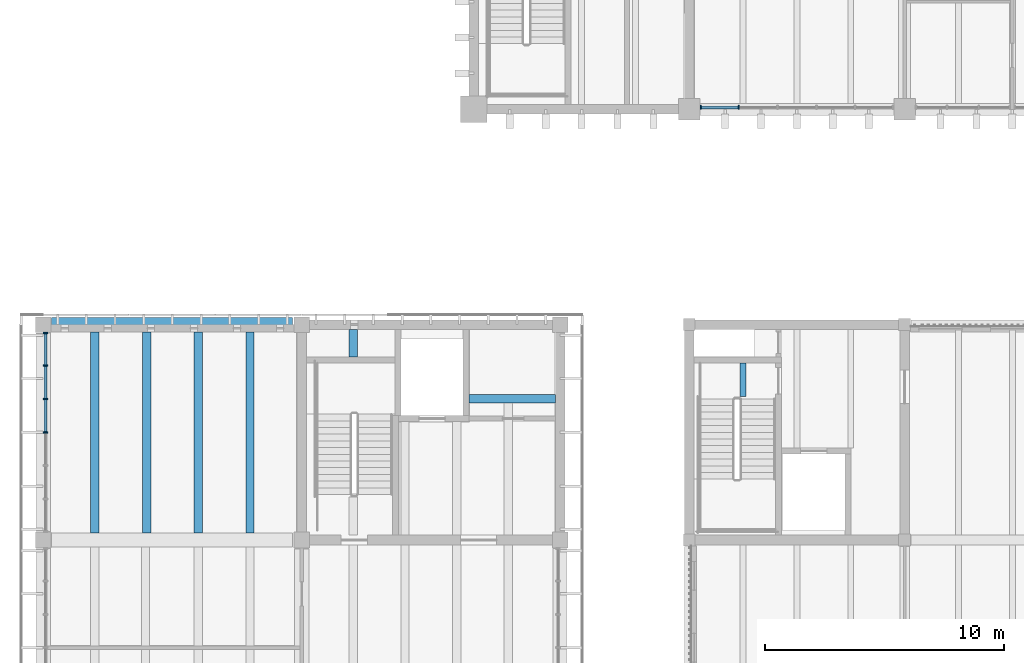
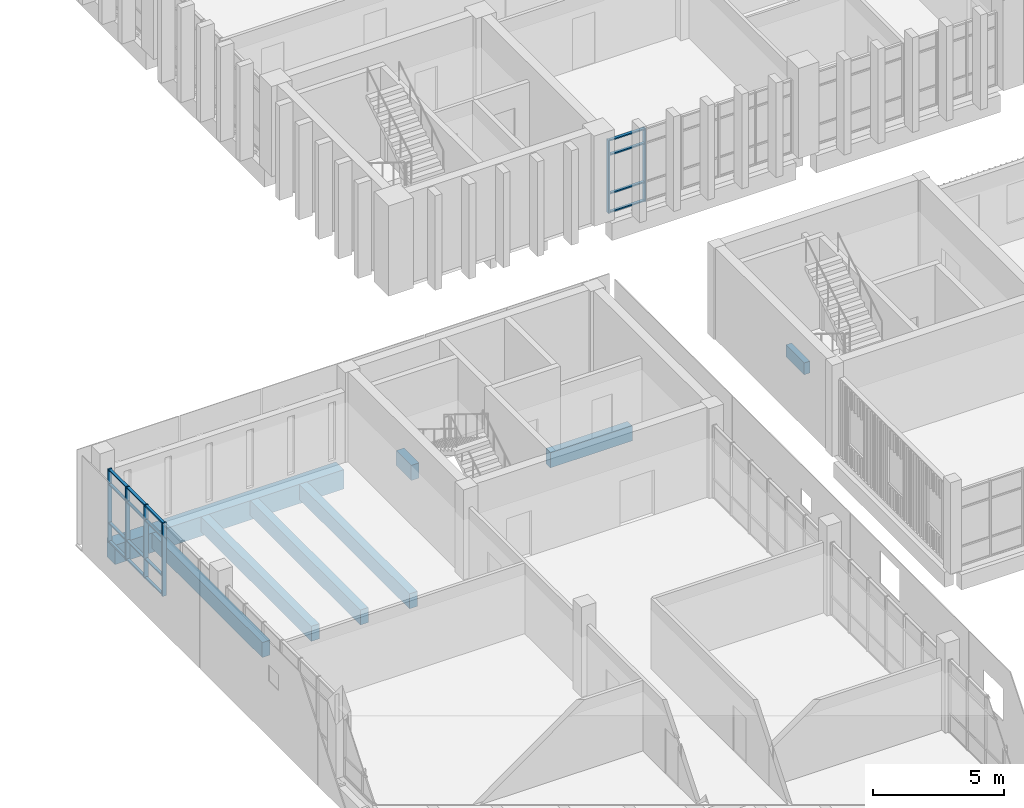
# One storey, part 27 of 92: 22 members, 8 beams, 2 elements without a shape of their own.
"""IFC4 building model written with IfcOpenShell, lengths in metres."""

import ifcopenshell
import ifcopenshell.guid

model = None  # the IFC model being written
_history = None  # IfcOwnerHistory: only IFC2X3 demands one
_inside = {}  # id of a spatial element -> (the spatial element, [elements in it])
_under = {}  # id of a project, library or spatial element -> (it, [spatial elements below it])
_declared = {}  # id of a project -> (the project, [libraries it declares])
_typed = {}  # id of a type object -> (the type object, [elements of that type])
_made_of = {}  # id of a material, layer set ... -> (it, [elements and type objects made of it])


def new_model(schema):
    """Start an empty IFC model of exactly this schema.

    Asked for "IFC4X3", IfcOpenShell would pick the latest addendum, in which some entities
    have other attributes; the version numbers below select the first issue.
    IFC2X3 requires an IfcOwnerHistory on every rooted entity: one is made here for all.
    """
    global model, _history
    if schema == "IFC4X3":
        model = ifcopenshell.file(schema_version=(4, 3, 0, 0))
    else:
        model = ifcopenshell.file(schema=schema)
    _inside.clear()
    _under.clear()
    _declared.clear()
    _typed.clear()
    _made_of.clear()
    _history = None
    if model.schema == "IFC2X3":
        org = make("IfcOrganization", Name="unknown")
        user = make(
            "IfcPersonAndOrganization",
            ThePerson=make("IfcPerson", FamilyName="unknown"),
            TheOrganization=org,
        )
        app = make(
            "IfcApplication",
            ApplicationDeveloper=org,
            Version="unknown",
            ApplicationFullName="unknown",
            ApplicationIdentifier="unknown",
        )
        _history = make(
            "IfcOwnerHistory",
            OwningUser=user,
            OwningApplication=app,
            ChangeAction="ADDED",
            CreationDate=0,
        )
    return model


def make(cls, **values):
    """One entity of the class cls with the attributes given. An attribute that is None is left unset."""
    return model.create_entity(
        cls, **{name: value for name, value in values.items() if value is not None}
    )


def rooted(cls, **values):
    """An entity with a GlobalId (a new one), such as an element, a storey or a relation."""
    return make(cls, GlobalId=ifcopenshell.guid.new(), OwnerHistory=_history, **values)


def si_unit(unit_type, name, prefix=None):
    """IfcSIUnit, for example si_unit("LENGTHUNIT", "METRE", prefix="MILLI")."""
    return make("IfcSIUnit", UnitType=unit_type, Prefix=prefix, Name=name)


def assignment(units):
    """IfcUnitAssignment: the units of a project."""
    return None if units is None else make("IfcUnitAssignment", Units=units)


def point(xyz):
    """IfcCartesianPoint."""
    return None if xyz is None else make("IfcCartesianPoint", Coordinates=xyz)


def direction(xyz):
    """IfcDirection."""
    return None if xyz is None else make("IfcDirection", DirectionRatios=xyz)


def frame(location, z_axis=None, x_axis=None):
    """IfcAxis2Placement3D, a coordinate frame: its origin and axes. An axis left out is left unset."""
    return make(
        "IfcAxis2Placement3D",
        Location=point(location),
        Axis=direction(z_axis),
        RefDirection=direction(x_axis),
    )


def frame_2d(location, x_axis=None):
    """IfcAxis2Placement2D, a coordinate frame in the plane: its origin and x axis."""
    return make(
        "IfcAxis2Placement2D", Location=point(location), RefDirection=direction(x_axis)
    )


def origin():
    """The frame at (0, 0, 0) with its axes left unset."""
    return frame((0.0, 0.0, 0.0))


def origin_2d():
    """The frame at (0, 0) in the plane with its x axis left unset."""
    return frame_2d((0.0, 0.0))


def place(relative_to, where):
    """IfcLocalPlacement: puts the frame where relative to a parent placement (None: the world)."""
    return make(
        "IfcLocalPlacement", PlacementRelTo=relative_to, RelativePlacement=where
    )


def context(
    kind, dimensions, precision=None, world=None, true_north=None, identifier=None
):
    """IfcGeometricRepresentationContext, for example the 3D "Model" context."""
    return make(
        "IfcGeometricRepresentationContext",
        ContextIdentifier=identifier,
        ContextType=kind,
        CoordinateSpaceDimension=dimensions,
        Precision=precision,
        WorldCoordinateSystem=world,
        TrueNorth=true_north,
    )


def subcontext(parent, identifier, kind, view, scale=None):
    """IfcGeometricRepresentationSubContext, for example "Body" below "Model"."""
    return make(
        "IfcGeometricRepresentationSubContext",
        ContextIdentifier=identifier,
        ContextType=kind,
        ParentContext=parent,
        TargetScale=scale,
        TargetView=view,
    )


def project(units=None, contexts=None):
    """IfcProject with its units and contexts."""
    return rooted(
        "IfcProject",
        Name="project",
        RepresentationContexts=contexts,
        UnitsInContext=assignment(units),
    )


def spatial(cls, under=None, at=None, **own):
    """A site, building, storey or space (cls), placed at a placement, below another one or the project."""
    s = rooted(cls, ObjectPlacement=at, **own)
    if under is not None:
        _under.setdefault(under.id(), (under, []))[1].append(s)
    return s


def profile(cls, at=None, kind="AREA", **sizes):
    """A parametric profile (cls). Its sizes go by their IFC names, for example OverallWidth=200.0."""
    return make(cls, ProfileType=kind, Position=at, **sizes)


def rectangle(**sizes):
    """IfcRectangleProfileDef."""
    return profile("IfcRectangleProfileDef", **sizes)


def extrude(swept, where, along, depth):
    """IfcExtrudedAreaSolid: the profile swept, set in the frame where, extruded along a direction by depth."""
    return make(
        "IfcExtrudedAreaSolid",
        SweptArea=swept,
        Position=where,
        ExtrudedDirection=direction(along),
        Depth=depth,
    )


def shape(context_of_items, identifier, shape_type, items):
    """IfcShapeRepresentation: the items that make up one representation, for example the "Body"."""
    return make(
        "IfcShapeRepresentation",
        ContextOfItems=context_of_items,
        RepresentationIdentifier=identifier,
        RepresentationType=shape_type,
        Items=items,
    )


def material(Name=None, Category=None):
    """IfcMaterial."""
    return make("IfcMaterial", Name=Name, Category=Category)


def material_profile(
    of_material, cross_section, Name=None, Category=None, Priority=None
):
    """IfcMaterialProfile: a cross section and its material."""
    return make(
        "IfcMaterialProfile",
        Name=Name,
        Material=of_material,
        Profile=cross_section,
        Priority=Priority,
        Category=Category,
    )


def profile_set(profiles, Name=None, composite=None):
    """IfcMaterialProfileSet."""
    return make(
        "IfcMaterialProfileSet",
        Name=Name,
        MaterialProfiles=profiles,
        CompositeProfile=composite,
    )


def made_of(thing, what):
    """Note that an element or type object is made of a material, layer set ...; save() writes the relation."""
    if what is not None:
        _made_of.setdefault(what.id(), (what, []))[1].append(thing)
    return thing


def type_object(cls, material=None, **own):
    """A type object (cls), such as IfcWallType, which elements share."""
    return made_of(rooted(cls, **own), material)


def element(
    cls,
    number,
    at=None,
    inside=None,
    cuts=None,
    type_object=None,
    material=None,
    context=None,
    identifier="Body",
    shape_type=None,
    held_by="IfcProductDefinitionShape",
    body=None,
    shapes=None,
    **own,
):
    """One element of the class cls, such as IfcWall. Its Tag is "e" and its number.

    at: its placement. inside: the storey or other place that contains it. cuts: it is an
    opening in that element (IfcRelVoidsElement). A single representation is given by context,
    identifier, shape_type and body (its items); several are given by shapes. held_by: the class
    of the entity that holds the representations. save() writes the other relations.
    """
    e = rooted(cls, Tag="e%d" % number, ObjectPlacement=at, **own)
    if body is not None:
        shapes = [shape(context, identifier, shape_type, body)]
    if shapes is not None:
        e.Representation = make(held_by, Representations=shapes)
    if inside is not None:
        _inside.setdefault(inside.id(), (inside, []))[1].append(e)
    if cuts is not None:
        rooted(
            "IfcRelVoidsElement", RelatingBuildingElement=cuts, RelatedOpeningElement=e
        )
    if type_object is not None:
        _typed.setdefault(type_object.id(), (type_object, []))[1].append(e)
    return made_of(e, material)


def aggregate(whole, parts):
    """IfcRelAggregates: a whole, such as a stair, and the parts it consists of."""
    return rooted("IfcRelAggregates", RelatingObject=whole, RelatedObjects=parts)


def save(model, path):
    """Write the relations noted so far, then the file.

    IfcRelAggregates (storeys below a building ...), IfcRelContainedInSpatialStructure (elements
    in a storey), IfcRelDefinesByType, IfcRelAssociatesMaterial and IfcRelDeclares: one each for
    every whole, place, type object, material and project.
    """
    for whole, parts in _under.values():
        aggregate(whole, parts)
    for where, things in _inside.values():
        rooted(
            "IfcRelContainedInSpatialStructure",
            RelatedElements=things,
            RelatingStructure=where,
        )
    for kind, things in _typed.values():
        rooted("IfcRelDefinesByType", RelatedObjects=things, RelatingType=kind)
    for what, things in _made_of.values():
        rooted("IfcRelAssociatesMaterial", RelatedObjects=things, RelatingMaterial=what)
    for by, libraries in _declared.values():
        rooted("IfcRelDeclares", RelatingContext=by, RelatedDefinitions=libraries)
    model.write(path)


model = new_model("IFC4")

# Units and contexts
model_context = context("Model", 3, precision=1e-05, world=origin(), true_north=direction((0.0, 1.0)))
body_context = subcontext(model_context, "Body", "Model", "MODEL_VIEW")
ifc_project = project(units=[si_unit("LENGTHUNIT", "METRE"), si_unit("AREAUNIT", "SQUARE_METRE"), si_unit("VOLUMEUNIT", "CUBIC_METRE"), si_unit("PLANEANGLEUNIT", "RADIAN"), si_unit("MASSUNIT", "GRAM", prefix="KILO")], contexts=[model_context])

# Site, building, storey
site_placement = place(None, origin())
site = spatial("IfcSite", under=ifc_project, at=site_placement, CompositionType="ELEMENT")
building_placement = place(site_placement, origin())
building = spatial("IfcBuilding", under=site, at=building_placement, Name="Merrow Basin Faculty of Sciences", CompositionType="ELEMENT")
storey_placement = place(building_placement, frame((0.0, 0.0, 4.5)))
storey = spatial("IfcBuildingStorey", under=building, at=storey_placement, Name="L01", CompositionType="ELEMENT", Elevation=4.5)

# Curtain wall, members
ifc_material_1 = material(Name="Aluminium alloy 6063", Category="aluminium")
curtain_wall_type_1 = type_object("IfcCurtainWallType", Name="Unitised curtain wall 160", PredefinedType="NOTDEFINED", material=ifc_material_1)
curtain_wall_1_placement = place(storey_placement, origin())
curtain_wall_1 = element("IfcCurtainWall", 1, at=curtain_wall_1_placement, inside=storey, type_object=curtain_wall_type_1, Name="S curtain wall L01 1", PredefinedType="NOTDEFINED")
ifc_material_2 = material(Name="Aluminium alloy 6063", Category="aluminium")
ifc_material_profile_1 = material_profile(ifc_material_2, rectangle(XDim=0.159912109375, YDim=0.06005859375, at=origin_2d()))
ifc_profile_set_1 = profile_set([ifc_material_profile_1], Name="Aluminium alloy 6063")
member_type_1 = type_object("IfcMemberType", Name="Aluminium mullion 60x160", PredefinedType="MULLION", material=ifc_profile_set_1)
member_1_placement = place(storey_placement, frame((27.47998046875, 142.080078125, 0.0), z_axis=(0.0, 0.0, 1.0), x_axis=(0.0, 1.0, 0.0)))
member_1 = element("IfcMember", 2, at=member_1_placement, type_object=member_type_1, Name="CW3 mullion 1", PredefinedType="MULLION", context=body_context, shape_type="SweptSolid", body=[
    extrude(rectangle(XDim=0.159912109375, YDim=0.06005859375, at=origin_2d()), origin(), (0.0, 0.0, 1.0), 3.39990234375),
])
member_2_placement = place(storey_placement, frame((29.070068359375, 142.080078125, 0.0), z_axis=(0.0, 0.0, 1.0), x_axis=(0.0, 1.0, 0.0)))
member_2 = element("IfcMember", 3, at=member_2_placement, type_object=member_type_1, Name="CW3 mullion 2", PredefinedType="MULLION", context=body_context, shape_type="SweptSolid", body=[
    extrude(rectangle(XDim=0.159912109375, YDim=0.06005859375, at=origin_2d()), origin(), (0.0, 0.0, 1.0), 3.39990234375),
])

ifc_material_3 = material(Name="Aluminium alloy 6063", Category="aluminium")
curtain_wall_type_2 = type_object("IfcCurtainWallType", Name="Bar unitised curtain wall 180", PredefinedType="NOTDEFINED", material=ifc_material_3)
curtain_wall_2_placement = place(storey_placement, origin())
curtain_wall_2 = element("IfcCurtainWall", 4, at=curtain_wall_2_placement, inside=storey, type_object=curtain_wall_type_2, Name="West curtain wall L01 7", PredefinedType="NOTDEFINED")
ifc_material_4 = material(Name="Aluminium alloy 6063", Category="aluminium")
ifc_material_profile_2 = material_profile(ifc_material_4, rectangle(XDim=0.179931640625, YDim=0.06005859375, at=origin_2d()))
ifc_profile_set_2 = profile_set([ifc_material_profile_2], Name="Aluminium alloy 6063")
member_type_2 = type_object("IfcMemberType", Name="Aluminium mullion 60x180", PredefinedType="MULLION", material=ifc_profile_set_2)
member_3_placement = place(storey_placement, frame((0.090087890625, 128.5, 0.0), z_axis=(0.0, 0.0, 1.0), x_axis=(-1.0, 0.0, 0.0)))
member_3 = element("IfcMember", 5, at=member_3_placement, type_object=member_type_2, Name="CW1 mullion 4", PredefinedType="MULLION", context=body_context, shape_type="SweptSolid", body=[
    extrude(rectangle(XDim=0.179931640625, YDim=0.06005859375, at=origin_2d()), origin(), (0.0, 0.0, 1.0), 3.39990234375),
])
member_4_placement = place(storey_placement, frame((0.090087890625, 129.8916015625, 0.0), z_axis=(0.0, 0.0, 1.0), x_axis=(-1.0, 0.0, 0.0)))
member_4 = element("IfcMember", 6, at=member_4_placement, type_object=member_type_2, Name="CW1 mullion 5", PredefinedType="MULLION", context=body_context, shape_type="SweptSolid", body=[
    extrude(rectangle(XDim=0.179931640625, YDim=0.06005859375, at=origin_2d()), origin(), (0.0, 0.0, 1.0), 3.39990234375),
])
member_5_placement = place(storey_placement, frame((0.090087890625, 131.283447265625, 0.0), z_axis=(0.0, 0.0, 1.0), x_axis=(-1.0, 0.0, 0.0)))
member_5 = element("IfcMember", 7, at=member_5_placement, type_object=member_type_2, Name="CW1 mullion 6", PredefinedType="MULLION", context=body_context, shape_type="SweptSolid", body=[
    extrude(rectangle(XDim=0.179931640625, YDim=0.06005859375, at=origin_2d()), origin(), (0.0, 0.0, 1.0), 3.39990234375),
])
member_6_placement = place(storey_placement, frame((0.090087890625, 132.64501953125, 0.0), z_axis=(0.0, 0.0, 1.0), x_axis=(-1.0, 0.0, 0.0)))
member_6 = element("IfcMember", 8, at=member_6_placement, type_object=member_type_2, Name="CW1 mullion 7", PredefinedType="MULLION", context=body_context, shape_type="SweptSolid", body=[
    extrude(rectangle(XDim=0.179931640625, YDim=0.06005859375, at=origin_2d()), origin(), (0.0, 0.0, 1.0), 3.39990234375),
])
ifc_material_5 = material(Name="Aluminium alloy 6063", Category="aluminium")
ifc_material_profile_3 = material_profile(ifc_material_5, rectangle(XDim=0.1201171875, YDim=0.06005859375, at=origin_2d()))
ifc_profile_set_3 = profile_set([ifc_material_profile_3], Name="Aluminium alloy 6063")
member_type_3 = type_object("IfcMemberType", Name="Aluminium transom 60x120", PredefinedType="USERDEFINED", material=ifc_profile_set_3)
member_7_placement = place(storey_placement, frame((0.090087890625, 128.530029296875, 0.030029296875), z_axis=(0.0, 1.0, 0.0), x_axis=(-1.0, 0.0, 0.0)))
member_7 = element("IfcMember", 9, at=member_7_placement, type_object=member_type_3, Name="CW1 transom 4.1", ObjectType="TRANSOM", PredefinedType="USERDEFINED", context=body_context, shape_type="SweptSolid", body=[
    extrude(rectangle(XDim=0.1201171875, YDim=0.06005859375, at=origin_2d()), origin(), (0.0, 0.0, 1.0), 1.33154296875),
])
member_8_placement = place(storey_placement, frame((0.090087890625, 128.530029296875, 0.89990234375), z_axis=(0.0, 1.0, 0.0), x_axis=(-1.0, 0.0, 0.0)))
member_8 = element("IfcMember", 10, at=member_8_placement, type_object=member_type_3, Name="CW1 transom 4.2", ObjectType="TRANSOM", PredefinedType="USERDEFINED", context=body_context, shape_type="SweptSolid", body=[
    extrude(rectangle(XDim=0.1201171875, YDim=0.06005859375, at=origin_2d()), origin(), (0.0, 0.0, 1.0), 1.33154296875),
])
member_9_placement = place(storey_placement, frame((0.090087890625, 128.530029296875, 2.699951171875), z_axis=(0.0, 1.0, 0.0), x_axis=(-1.0, 0.0, 0.0)))
member_9 = element("IfcMember", 11, at=member_9_placement, type_object=member_type_3, Name="CW1 transom 4.3", ObjectType="TRANSOM", PredefinedType="USERDEFINED", context=body_context, shape_type="SweptSolid", body=[
    extrude(rectangle(XDim=0.1201171875, YDim=0.06005859375, at=origin_2d()), origin(), (0.0, 0.0, 1.0), 1.33154296875),
])
member_10_placement = place(storey_placement, frame((0.090087890625, 128.530029296875, 3.3701171875), z_axis=(0.0, 1.0, 0.0), x_axis=(-1.0, 0.0, 0.0)))
member_10 = element("IfcMember", 12, at=member_10_placement, type_object=member_type_3, Name="CW1 transom 4.4", ObjectType="TRANSOM", PredefinedType="USERDEFINED", context=body_context, shape_type="SweptSolid", body=[
    extrude(rectangle(XDim=0.1201171875, YDim=0.06005859375, at=origin_2d()), origin(), (0.0, 0.0, 1.0), 1.33154296875),
])
member_11_placement = place(storey_placement, frame((0.090087890625, 129.921630859375, 0.030029296875), z_axis=(0.0, 1.0, 0.0), x_axis=(-1.0, 0.0, 0.0)))
member_11 = element("IfcMember", 13, at=member_11_placement, type_object=member_type_3, Name="CW1 transom 5.1", ObjectType="TRANSOM", PredefinedType="USERDEFINED", context=body_context, shape_type="SweptSolid", body=[
    extrude(rectangle(XDim=0.1201171875, YDim=0.06005859375, at=origin_2d()), origin(), (0.0, 0.0, 1.0), 1.331787109375),
])
member_12_placement = place(storey_placement, frame((0.090087890625, 129.921630859375, 0.89990234375), z_axis=(0.0, 1.0, 0.0), x_axis=(-1.0, 0.0, 0.0)))
member_12 = element("IfcMember", 14, at=member_12_placement, type_object=member_type_3, Name="CW1 transom 5.2", ObjectType="TRANSOM", PredefinedType="USERDEFINED", context=body_context, shape_type="SweptSolid", body=[
    extrude(rectangle(XDim=0.1201171875, YDim=0.06005859375, at=origin_2d()), origin(), (0.0, 0.0, 1.0), 1.331787109375),
])
member_13_placement = place(storey_placement, frame((0.090087890625, 129.921630859375, 2.699951171875), z_axis=(0.0, 1.0, 0.0), x_axis=(-1.0, 0.0, 0.0)))
member_13 = element("IfcMember", 15, at=member_13_placement, type_object=member_type_3, Name="CW1 transom 5.3", ObjectType="TRANSOM", PredefinedType="USERDEFINED", context=body_context, shape_type="SweptSolid", body=[
    extrude(rectangle(XDim=0.1201171875, YDim=0.06005859375, at=origin_2d()), origin(), (0.0, 0.0, 1.0), 1.331787109375),
])
member_14_placement = place(storey_placement, frame((0.090087890625, 129.921630859375, 3.3701171875), z_axis=(0.0, 1.0, 0.0), x_axis=(-1.0, 0.0, 0.0)))
member_14 = element("IfcMember", 16, at=member_14_placement, type_object=member_type_3, Name="CW1 transom 5.4", ObjectType="TRANSOM", PredefinedType="USERDEFINED", context=body_context, shape_type="SweptSolid", body=[
    extrude(rectangle(XDim=0.1201171875, YDim=0.06005859375, at=origin_2d()), origin(), (0.0, 0.0, 1.0), 1.331787109375),
])
member_15_placement = place(storey_placement, frame((0.090087890625, 131.313232421875, 0.030029296875), z_axis=(0.0, 1.0, 0.0), x_axis=(-1.0, 0.0, 0.0)))
member_15 = element("IfcMember", 17, at=member_15_placement, type_object=member_type_3, Name="CW1 transom 6.1", ObjectType="TRANSOM", PredefinedType="USERDEFINED", context=body_context, shape_type="SweptSolid", body=[
    extrude(rectangle(XDim=0.1201171875, YDim=0.06005859375, at=origin_2d()), origin(), (0.0, 0.0, 1.0), 1.3017578125),
])
member_16_placement = place(storey_placement, frame((0.090087890625, 131.313232421875, 0.89990234375), z_axis=(0.0, 1.0, 0.0), x_axis=(-1.0, 0.0, 0.0)))
member_16 = element("IfcMember", 18, at=member_16_placement, type_object=member_type_3, Name="CW1 transom 6.2", ObjectType="TRANSOM", PredefinedType="USERDEFINED", context=body_context, shape_type="SweptSolid", body=[
    extrude(rectangle(XDim=0.1201171875, YDim=0.06005859375, at=origin_2d()), origin(), (0.0, 0.0, 1.0), 1.3017578125),
])
member_17_placement = place(storey_placement, frame((0.090087890625, 131.313232421875, 2.699951171875), z_axis=(0.0, 1.0, 0.0), x_axis=(-1.0, 0.0, 0.0)))
member_17 = element("IfcMember", 19, at=member_17_placement, type_object=member_type_3, Name="CW1 transom 6.3", ObjectType="TRANSOM", PredefinedType="USERDEFINED", context=body_context, shape_type="SweptSolid", body=[
    extrude(rectangle(XDim=0.1201171875, YDim=0.06005859375, at=origin_2d()), origin(), (0.0, 0.0, 1.0), 1.3017578125),
])
member_18_placement = place(storey_placement, frame((0.090087890625, 131.313232421875, 3.3701171875), z_axis=(0.0, 1.0, 0.0), x_axis=(-1.0, 0.0, 0.0)))
member_18 = element("IfcMember", 20, at=member_18_placement, type_object=member_type_3, Name="CW1 transom 6.4", ObjectType="TRANSOM", PredefinedType="USERDEFINED", context=body_context, shape_type="SweptSolid", body=[
    extrude(rectangle(XDim=0.1201171875, YDim=0.06005859375, at=origin_2d()), origin(), (0.0, 0.0, 1.0), 1.3017578125),
])
aggregate(curtain_wall_2, [member_3, member_4, member_5, member_6, member_7, member_8, member_9, member_10, member_11, member_12, member_13, member_14, member_15, member_16, member_17, member_18])

# Member
member_19_placement = place(storey_placement, frame((27.510009765625, 142.080078125, 0.030029296875), z_axis=(1.0, 0.0, 0.0), x_axis=(0.0, 1.0, 0.0)))
member_19 = element("IfcMember", 21, at=member_19_placement, type_object=member_type_3, Name="CW3 transom 1.1", ObjectType="TRANSOM", PredefinedType="USERDEFINED", context=body_context, shape_type="SweptSolid", body=[
    extrude(rectangle(XDim=0.1201171875, YDim=0.06005859375, at=origin_2d()), origin(), (0.0, 0.0, 1.0), 1.530029296875),
])

member_20_placement = place(storey_placement, frame((27.510009765625, 142.080078125, 0.89990234375), z_axis=(1.0, 0.0, 0.0), x_axis=(0.0, 1.0, 0.0)))
member_20 = element("IfcMember", 22, at=member_20_placement, type_object=member_type_3, Name="CW3 transom 1.2", ObjectType="TRANSOM", PredefinedType="USERDEFINED", context=body_context, shape_type="SweptSolid", body=[
    extrude(rectangle(XDim=0.1201171875, YDim=0.06005859375, at=origin_2d()), origin(), (0.0, 0.0, 1.0), 1.530029296875),
])

member_21_placement = place(storey_placement, frame((27.510009765625, 142.080078125, 2.699951171875), z_axis=(1.0, 0.0, 0.0), x_axis=(0.0, 1.0, 0.0)))
member_21 = element("IfcMember", 23, at=member_21_placement, type_object=member_type_3, Name="CW3 transom 1.3", ObjectType="TRANSOM", PredefinedType="USERDEFINED", context=body_context, shape_type="SweptSolid", body=[
    extrude(rectangle(XDim=0.1201171875, YDim=0.06005859375, at=origin_2d()), origin(), (0.0, 0.0, 1.0), 1.530029296875),
])

member_22_placement = place(storey_placement, frame((27.510009765625, 142.080078125, 3.3701171875), z_axis=(1.0, 0.0, 0.0), x_axis=(0.0, 1.0, 0.0)))
member_22 = element("IfcMember", 24, at=member_22_placement, type_object=member_type_3, Name="CW3 transom 1.4", ObjectType="TRANSOM", PredefinedType="USERDEFINED", context=body_context, shape_type="SweptSolid", body=[
    extrude(rectangle(XDim=0.1201171875, YDim=0.06005859375, at=origin_2d()), origin(), (0.0, 0.0, 1.0), 1.530029296875),
])

aggregate(curtain_wall_1, [member_1, member_2, member_19, member_20, member_21, member_22])

# Beams
ifc_material_6 = material(Name="Concrete C40/50", Category="concrete")
ifc_material_profile_4 = material_profile(ifc_material_6, rectangle(XDim=0.60009765625, YDim=0.89990234375, at=origin_2d()))
ifc_profile_set_4 = profile_set([ifc_material_profile_4], Name="Concrete C40/50")
beam_type_1 = type_object("IfcBeamType", Name="Beam RC600x900 C40/50", PredefinedType="BEAM", material=ifc_profile_set_4)
beam_1_placement = place(storey_placement, frame((0.35009765625, 133.0, -0.75), z_axis=(1.0, 0.0, 0.0), x_axis=(0.0, 1.0, 0.0)))
element("IfcBeam", 25, at=beam_1_placement, inside=storey, type_object=beam_type_1, Name="B1 L01 014", PredefinedType="BEAM", context=body_context, shape_type="SweptSolid", body=[
    extrude(rectangle(XDim=0.60009765625, YDim=0.89990234375, at=origin_2d()), origin(), (0.0, 0.0, 1.0), 10.074951171875),
])
ifc_material_7 = material(Name="Concrete C40/50", Category="concrete")
ifc_material_profile_5 = material_profile(ifc_material_7, rectangle(XDim=0.25, YDim=0.550048828125, at=origin_2d()))
ifc_profile_set_5 = profile_set([ifc_material_profile_5], Name="Concrete C40/50")
beam_type_2 = type_object("IfcBeamType", Name="Commons floor joist RC250x550 C40/50", PredefinedType="BEAM", material=ifc_profile_set_5)
beam_2_placement = place(storey_placement, frame((29.25, 130.0, -0.52490234375), z_axis=(0.0, 1.0, 0.0), x_axis=(-1.0, 0.0, 0.0)))
element("IfcBeam", 26, at=beam_2_placement, inside=storey, type_object=beam_type_2, Name="JC1 L01 045", PredefinedType="BEAM", context=body_context, shape_type="SweptSolid", body=[
    extrude(rectangle(XDim=0.25, YDim=0.550048828125, at=origin_2d()), origin(), (0.0, 0.0, 1.0), 1.39990234375),
])
ifc_material_8 = material(Name="Concrete C40/50", Category="concrete")
ifc_material_profile_6 = material_profile(ifc_material_8, rectangle(XDim=0.35009765625, YDim=0.699951171875, at=origin_2d()))
ifc_profile_set_6 = profile_set([ifc_material_profile_6], Name="Concrete C40/50")
beam_type_3 = type_object("IfcBeamType", Name="Laboratory plant-floor joist RC350x700 C40/50", PredefinedType="BEAM", material=ifc_profile_set_6)
for number, where, z_axis, x_axis, name in (
    (27, (2.159912109375, 124.300048828125, -0.64990234375), (0.0, 1.0, 0.0), (-1.0, 0.0, 0.0), "JP1 L01 063"),
    (28, (4.320068359375, 124.300048828125, -0.64990234375), (0.0, 1.0, 0.0), (-1.0, 0.0, 0.0), "JP1 L01 064"),
    (29, (6.47998046875, 124.300048828125, -0.64990234375), (0.0, 1.0, 0.0), (-1.0, 0.0, 0.0), "JP1 L01 065"),
    (30, (8.639892578125, 124.300048828125, -0.64990234375), (0.0, 1.0, 0.0), (-1.0, 0.0, 0.0), "JP1 L01 066"),
):
    element("IfcBeam", number, at=place(storey_placement, frame(where, z_axis=z_axis, x_axis=x_axis)), inside=storey, type_object=beam_type_3, Name=name, PredefinedType="BEAM", context=body_context, shape_type="SweptSolid", body=[
        extrude(rectangle(XDim=0.35009765625, YDim=0.699951171875, at=origin_2d()), origin(), (0.0, 0.0, 1.0), 8.39990234375),
    ])
beam_3_placement = place(storey_placement, frame((12.9599609375, 131.64990234375, -0.64990234375), z_axis=(0.0, 1.0, 0.0), x_axis=(-1.0, 0.0, 0.0)))
element("IfcBeam", 31, at=beam_3_placement, inside=storey, type_object=beam_type_3, Name="JP1 L01 098", PredefinedType="BEAM", context=body_context, shape_type="SweptSolid", body=[
    extrude(rectangle(XDim=0.35009765625, YDim=0.699951171875, at=origin_2d()), origin(), (0.0, 0.0, 1.0), 1.150146484375),
])
beam_4_placement = place(storey_placement, frame((17.800048828125, 129.89990234375, -0.64990234375), z_axis=(1.0, 0.0, 0.0), x_axis=(0.0, 1.0, 0.0)))
element("IfcBeam", 32, at=beam_4_placement, inside=storey, type_object=beam_type_3, Name="JP1 L01 102", PredefinedType="BEAM", context=body_context, shape_type="SweptSolid", body=[
    extrude(rectangle(XDim=0.35009765625, YDim=0.699951171875, at=origin_2d()), origin(), (0.0, 0.0, 1.0), 3.599853515625),
])

save(model, "model.ifc")
